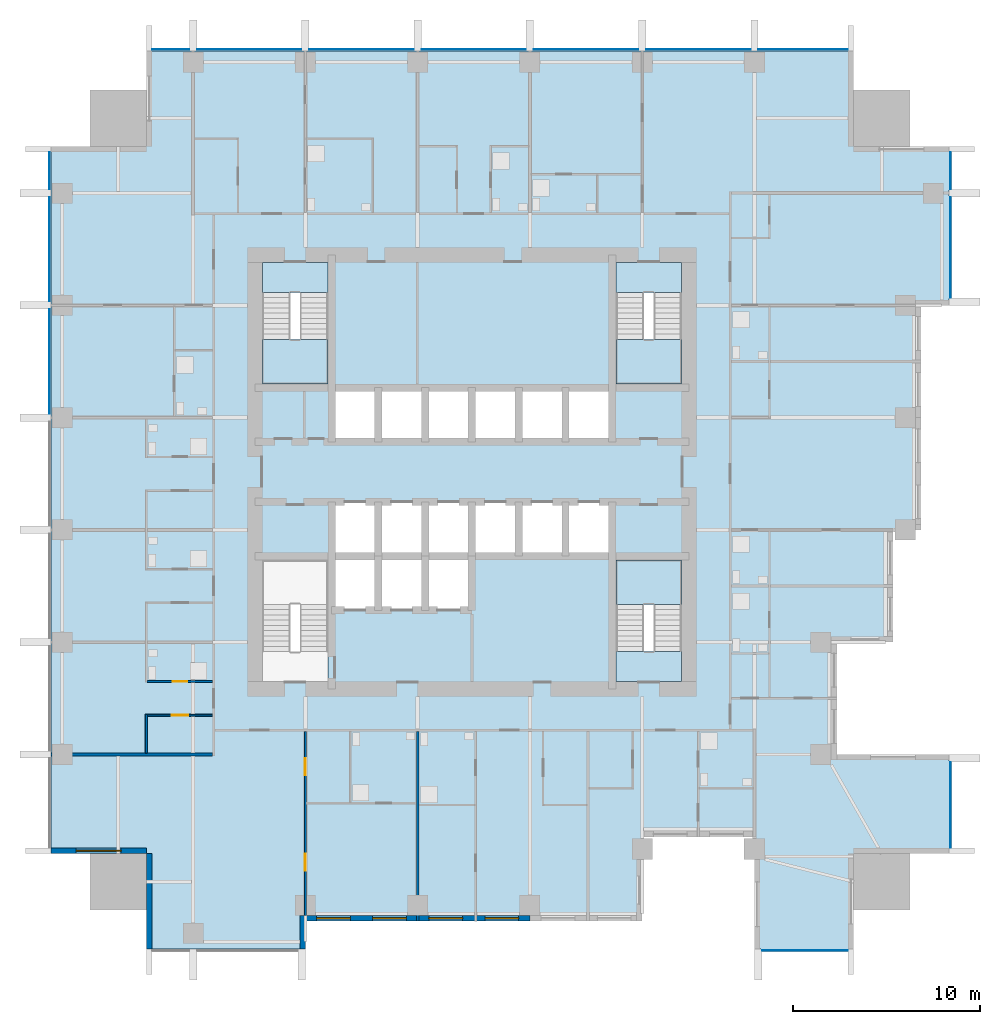
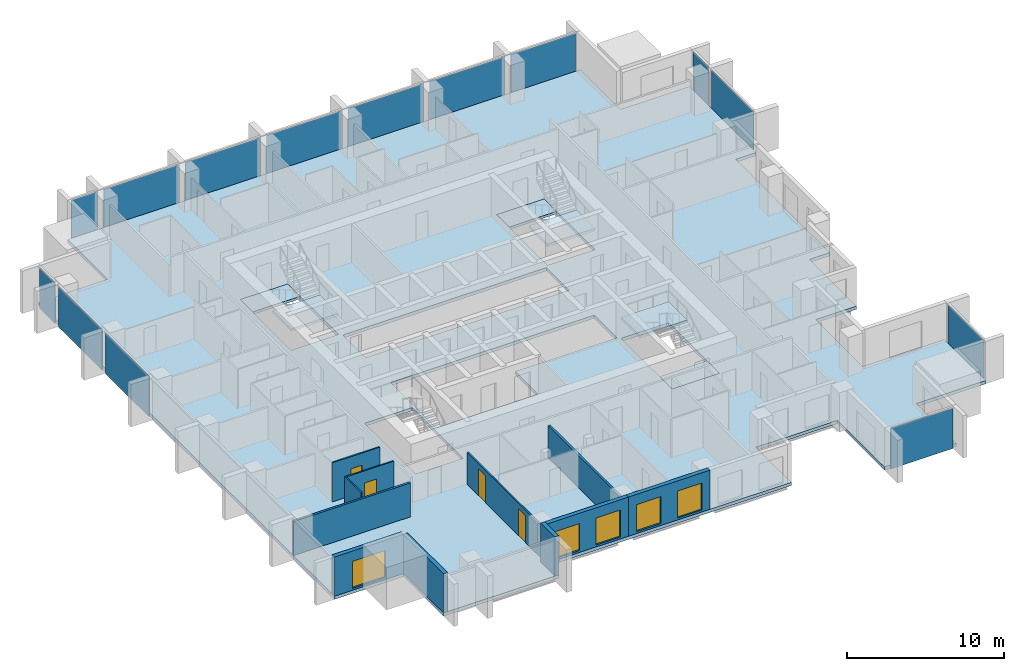
# One storey, part 3 of 10: 14 plates, 11 walls, 7 slabs, 5 windows, 4 doors, 9 openings, 8 elements without a shape of their own.
"""IFC4 building model written with IfcOpenShell, lengths in metres."""

from ifc_helpers import new_model, si_unit, direction, frame, frame_2d, origin, origin_2d, place, context, subcontext, project, spatial, polyline, rectangle, outline, extrude, material, layer, layer_set, type_object, element, fill, aggregate, save


model = new_model("IFC4")

# Units and contexts
model_context = context("Model", 3, precision=1e-05, world=origin(), true_north=direction((0.0, 1.0)))
body_context = subcontext(model_context, "Body", "Model", "MODEL_VIEW")
ifc_project = project(units=[si_unit("LENGTHUNIT", "METRE"), si_unit("AREAUNIT", "SQUARE_METRE"), si_unit("VOLUMEUNIT", "CUBIC_METRE"), si_unit("PLANEANGLEUNIT", "RADIAN"), si_unit("MASSUNIT", "GRAM", prefix="KILO")], contexts=[model_context])

# Site, building, storey
site_placement = place(None, origin())
site = spatial("IfcSite", under=ifc_project, at=site_placement, CompositionType="ELEMENT")
building_placement = place(site_placement, origin())
building = spatial("IfcBuilding", under=site, at=building_placement, Name="Amberfall Residences", CompositionType="ELEMENT")
storey_placement = place(building_placement, frame((0.0, 0.0, 101.800048828125)))
storey = spatial("IfcBuildingStorey", under=building, at=storey_placement, Name="L27", CompositionType="ELEMENT", Elevation=101.800048828125)

# Curtain wall, plate
ifc_material_1 = material(Name="Bronze anodised aluminium and glass", Category="aluminium")
curtain_wall_type = type_object("IfcCurtainWallType", Name="Curtain wall CW1 tower unit", PredefinedType="USERDEFINED", material=ifc_material_1)
curtain_wall_1_placement = place(storey_placement, origin())
curtain_wall_1 = element("IfcCurtainWall", 1, at=curtain_wall_1_placement, inside=storey, type_object=curtain_wall_type, Name="Curtain wall L27 S S9", ObjectType="UNITISED CURTAIN WALL", PredefinedType="USERDEFINED")
ifc_material_2 = material(Name="Tinted double glazed unit", Category="glass")
ifc_layer_1 = layer(ifc_material_2, 0.035888671875)
ifc_layer_set_1 = layer_set([ifc_layer_1], Name="CW1 panel 36 glazing")
plate_type = type_object("IfcPlateType", Name="CW1 panel 36 glazing", PredefinedType="CURTAIN_PANEL", material=ifc_layer_set_1)
plate_1_placement = place(storey_placement, frame((92.300048828125, 19.925048828125, -0.25), z_axis=(0.0, 0.0, 1.0), x_axis=(1.0, 0.0, 0.0)))
plate_1 = element("IfcPlate", 2, at=plate_1_placement, type_object=plate_type, Name="CW1 panel 1.1", PredefinedType="CURTAIN_PANEL", context=body_context, shape_type="SweptSolid", body=[
    extrude(rectangle(XDim=4.575927734375, YDim=0.035888671875, at=origin_2d()), origin(), (0.0, 0.0, 1.0), 3.14990234375),
])
aggregate(curtain_wall_1, [plate_1])

curtain_wall_2_placement = place(storey_placement, origin())
curtain_wall_2 = element("IfcCurtainWall", 3, at=curtain_wall_2_placement, inside=storey, type_object=curtain_wall_type, Name="Curtain wall L27 E E1", ObjectType="UNITISED CURTAIN WALL", PredefinedType="USERDEFINED")
plate_2_placement = place(storey_placement, frame((100.074951171875, 27.699951171875, -0.25), z_axis=(0.0, 0.0, 1.0), x_axis=(0.0, 1.0, 0.0)))
plate_2 = element("IfcPlate", 4, at=plate_2_placement, type_object=plate_type, Name="CW1 panel 1.1", PredefinedType="CURTAIN_PANEL", context=body_context, shape_type="SweptSolid", body=[
    extrude(rectangle(XDim=4.575927734375, YDim=0.035888671875, at=origin_2d()), origin(), (0.0, 0.0, 1.0), 3.14990234375),
])
aggregate(curtain_wall_2, [plate_2])

# Curtain wall, plates
curtain_wall_3_placement = place(storey_placement, origin())
curtain_wall_3 = element("IfcCurtainWall", 5, at=curtain_wall_3_placement, inside=storey, type_object=curtain_wall_type, Name="Curtain wall L27 E E10", ObjectType="UNITISED CURTAIN WALL", PredefinedType="USERDEFINED")
plate_3_placement = place(storey_placement, frame((100.074951171875, 57.5, -0.25), z_axis=(0.0, 0.0, 1.0), x_axis=(0.0, 1.0, 0.0)))
plate_3 = element("IfcPlate", 6, at=plate_3_placement, type_object=plate_type, Name="CW1 panel 1.1", PredefinedType="CURTAIN_PANEL", context=body_context, shape_type="SweptSolid", body=[
    extrude(rectangle(XDim=5.3759765625, YDim=0.035888671875, at=origin_2d()), origin(), (0.0, 0.0, 1.0), 3.14990234375),
])
plate_4_placement = place(storey_placement, frame((100.074951171875, 61.60009765625, -0.25), z_axis=(0.0, 0.0, 1.0), x_axis=(0.0, 1.0, 0.0)))
plate_4 = element("IfcPlate", 7, at=plate_4_placement, type_object=plate_type, Name="CW1 panel 2.1", PredefinedType="CURTAIN_PANEL", context=body_context, shape_type="SweptSolid", body=[
    extrude(rectangle(XDim=1.97607421875, YDim=0.035888671875, at=origin_2d()), origin(), (0.0, 0.0, 1.0), 3.14990234375),
])
aggregate(curtain_wall_3, [plate_3, plate_4])

curtain_wall_4_placement = place(storey_placement, origin())
curtain_wall_4 = element("IfcCurtainWall", 8, at=curtain_wall_4_placement, inside=storey, type_object=curtain_wall_type, Name="Curtain wall L27 N N1", ObjectType="UNITISED CURTAIN WALL", PredefinedType="USERDEFINED")
plate_5_placement = place(storey_placement, frame((92.199951171875, 68.074951171875, -0.25), z_axis=(0.0, 0.0, 1.0), x_axis=(-1.0, 0.0, 0.0)))
plate_5 = element("IfcPlate", 9, at=plate_5_placement, type_object=plate_type, Name="CW1 panel 1.1", PredefinedType="CURTAIN_PANEL", context=body_context, shape_type="SweptSolid", body=[
    extrude(rectangle(XDim=4.77587890625, YDim=0.035888671875, at=origin_2d()), origin(), (0.0, 0.0, 1.0), 3.14990234375),
])
plate_6_placement = place(storey_placement, frame((86.60009765625, 68.074951171875, -0.25), z_axis=(0.0, 0.0, 1.0), x_axis=(-1.0, 0.0, 0.0)))
plate_6 = element("IfcPlate", 10, at=plate_6_placement, type_object=plate_type, Name="CW1 panel 2.1", PredefinedType="CURTAIN_PANEL", context=body_context, shape_type="SweptSolid", body=[
    extrude(rectangle(XDim=5.575927734375, YDim=0.035888671875, at=origin_2d()), origin(), (0.0, 0.0, 1.0), 3.14990234375),
])
plate_7_placement = place(storey_placement, frame((80.60009765625, 68.074951171875, -0.25), z_axis=(0.0, 0.0, 1.0), x_axis=(-1.0, 0.0, 0.0)))
plate_7 = element("IfcPlate", 11, at=plate_7_placement, type_object=plate_type, Name="CW1 panel 3.1", PredefinedType="CURTAIN_PANEL", context=body_context, shape_type="SweptSolid", body=[
    extrude(rectangle(XDim=5.575927734375, YDim=0.035888671875, at=origin_2d()), origin(), (0.0, 0.0, 1.0), 3.14990234375),
])
plate_8_placement = place(storey_placement, frame((74.60009765625, 68.074951171875, -0.25), z_axis=(0.0, 0.0, 1.0), x_axis=(-1.0, 0.0, 0.0)))
plate_8 = element("IfcPlate", 12, at=plate_8_placement, type_object=plate_type, Name="CW1 panel 4.1", PredefinedType="CURTAIN_PANEL", context=body_context, shape_type="SweptSolid", body=[
    extrude(rectangle(XDim=5.575927734375, YDim=0.035888671875, at=origin_2d()), origin(), (0.0, 0.0, 1.0), 3.14990234375),
])
plate_9_placement = place(storey_placement, frame((68.60009765625, 68.074951171875, -0.25), z_axis=(0.0, 0.0, 1.0), x_axis=(-1.0, 0.0, 0.0)))
plate_9 = element("IfcPlate", 13, at=plate_9_placement, type_object=plate_type, Name="CW1 panel 5.1", PredefinedType="CURTAIN_PANEL", context=body_context, shape_type="SweptSolid", body=[
    extrude(rectangle(XDim=5.575927734375, YDim=0.035888671875, at=origin_2d()), origin(), (0.0, 0.0, 1.0), 3.14990234375),
])
plate_10_placement = place(storey_placement, frame((62.60009765625, 68.074951171875, -0.25), z_axis=(0.0, 0.0, 1.0), x_axis=(-1.0, 0.0, 0.0)))
plate_10 = element("IfcPlate", 14, at=plate_10_placement, type_object=plate_type, Name="CW1 panel 6.1", PredefinedType="CURTAIN_PANEL", context=body_context, shape_type="SweptSolid", body=[
    extrude(rectangle(XDim=5.575927734375, YDim=0.035888671875, at=origin_2d()), origin(), (0.0, 0.0, 1.0), 3.14990234375),
])
plate_11_placement = place(storey_placement, frame((58.39990234375, 68.074951171875, -0.25), z_axis=(0.0, 0.0, 1.0), x_axis=(-1.0, 0.0, 0.0)))
plate_11 = element("IfcPlate", 15, at=plate_11_placement, type_object=plate_type, Name="CW1 panel 7.1", PredefinedType="CURTAIN_PANEL", context=body_context, shape_type="SweptSolid", body=[
    extrude(rectangle(XDim=1.97607421875, YDim=0.035888671875, at=origin_2d()), origin(), (0.0, 0.0, 1.0), 3.14990234375),
])
aggregate(curtain_wall_4, [plate_5, plate_6, plate_7, plate_8, plate_9, plate_10, plate_11])

curtain_wall_5_placement = place(storey_placement, origin())
curtain_wall_5 = element("IfcCurtainWall", 16, at=curtain_wall_5_placement, inside=storey, type_object=curtain_wall_type, Name="Curtain wall L27 W W1", ObjectType="UNITISED CURTAIN WALL", PredefinedType="USERDEFINED")
plate_12_placement = place(storey_placement, frame((51.925048828125, 61.60009765625, -0.25), z_axis=(0.0, 0.0, 1.0), x_axis=(0.0, -1.0, 0.0)))
plate_12 = element("IfcPlate", 17, at=plate_12_placement, type_object=plate_type, Name="CW1 panel 1.1", PredefinedType="CURTAIN_PANEL", context=body_context, shape_type="SweptSolid", body=[
    extrude(rectangle(XDim=1.97607421875, YDim=0.035888671875, at=origin_2d()), origin(), (0.0, 0.0, 1.0), 3.14990234375),
])
plate_13_placement = place(storey_placement, frame((51.925048828125, 57.39990234375, -0.25), z_axis=(0.0, 0.0, 1.0), x_axis=(0.0, -1.0, 0.0)))
plate_13 = element("IfcPlate", 18, at=plate_13_placement, type_object=plate_type, Name="CW1 panel 2.1", PredefinedType="CURTAIN_PANEL", context=body_context, shape_type="SweptSolid", body=[
    extrude(rectangle(XDim=5.575927734375, YDim=0.035888671875, at=origin_2d()), origin(), (0.0, 0.0, 1.0), 3.14990234375),
])
plate_14_placement = place(storey_placement, frame((51.925048828125, 51.39990234375, -0.25), z_axis=(0.0, 0.0, 1.0), x_axis=(0.0, -1.0, 0.0)))
plate_14 = element("IfcPlate", 19, at=plate_14_placement, type_object=plate_type, Name="CW1 panel 3.1", PredefinedType="CURTAIN_PANEL", context=body_context, shape_type="SweptSolid", body=[
    extrude(rectangle(XDim=5.575927734375, YDim=0.035888671875, at=origin_2d()), origin(), (0.0, 0.0, 1.0), 3.14990234375),
])
aggregate(curtain_wall_5, [plate_12, plate_13, plate_14])

# Slab
ifc_material_3 = material(Name="Concrete C70", Category="concrete")
ifc_layer_2 = layer(ifc_material_3, 0.25)
ifc_layer_set_2 = layer_set([ifc_layer_2], Name="Floor slab 250 C70")
slab_type_1 = type_object("IfcSlabType", Name="Floor slab 250 C70", PredefinedType="FLOOR", material=ifc_layer_set_2)
slab_1_placement = place(storey_placement, frame((0.0, 0.0, -0.25)))
element("IfcSlab", 20, at=slab_1_placement, inside=storey, type_object=slab_type_1, Name="Floor slab S7 L27", PredefinedType="FLOOR", context=body_context, shape_type="SweptSolid", body=[
    extrude(outline(polyline([(89.60009765625, 20.0), (89.60009765625, 26.0), (83.60009765625, 26.0), (83.60009765625, 21.5), (77.60009765625, 21.5), (71.60009765625, 21.5), (65.60009765625, 21.5), (65.60009765625, 20.0), (57.10009765625, 20.0), (57.10009765625, 25.10009765625), (52.0, 25.10009765625), (52.0, 62.89990234375), (57.10009765625, 62.89990234375), (57.10009765625, 68.0), (94.89990234375, 68.0), (94.89990234375, 62.89990234375), (100.0, 62.89990234375), (100.0, 54.39990234375), (98.5, 54.39990234375), (98.5, 48.39990234375), (98.5, 42.39990234375), (97.0, 42.39990234375), (97.0, 36.39990234375), (94.0, 36.39990234375), (94.0, 30.39990234375), (100.0, 30.39990234375), (100.0, 25.10009765625), (94.89990234375, 25.10009765625), (94.89990234375, 20.0), (89.60009765625, 20.0)]), holes=[polyline([(85.699951171875, 34.300048828125), (85.699951171875, 40.800048828125), (82.199951171875, 40.800048828125), (82.199951171875, 34.300048828125), (85.699951171875, 34.300048828125)]), polyline([(82.199951171875, 50.199951171875), (85.699951171875, 50.199951171875), (85.699951171875, 56.699951171875), (82.199951171875, 56.699951171875), (82.199951171875, 50.199951171875)]), polyline([(69.5, 50.0), (67.0, 50.0), (67.0, 47.10009765625), (69.5, 47.10009765625), (72.0, 47.10009765625), (74.5, 47.10009765625), (77.0, 47.10009765625), (79.5, 47.10009765625), (82.0, 47.10009765625), (82.0, 50.0), (79.5, 50.0), (77.0, 50.0), (74.5, 50.0), (72.0, 50.0), (69.5, 50.0)]), polyline([(74.5, 41.0), (77.0, 41.0), (79.5, 41.0), (82.0, 41.0), (82.0, 43.89990234375), (79.5, 43.89990234375), (77.0, 43.89990234375), (74.5, 43.89990234375), (72.0, 43.89990234375), (69.5, 43.89990234375), (67.0, 43.89990234375), (67.0, 41.0), (67.0, 38.10009765625), (69.5, 38.10009765625), (72.0, 38.10009765625), (74.5, 38.10009765625), (74.5, 41.0)]), polyline([(66.800048828125, 34.300048828125), (66.800048828125, 40.800048828125), (63.300048828125, 40.800048828125), (63.300048828125, 34.300048828125), (66.800048828125, 34.300048828125)]), polyline([(66.800048828125, 50.199951171875), (66.800048828125, 56.699951171875), (63.300048828125, 56.699951171875), (63.300048828125, 50.199951171875), (66.800048828125, 50.199951171875)])]), origin(), (0.0, 0.0, 1.0), 0.25),
])

# Stair, slabs
ifc_material_4 = material(Name="Concrete C40", Category="concrete")
stair_type = type_object("IfcStairType", Name="Exit stair 20 risers 165.0 mm", PredefinedType="HALF_TURN_STAIR", material=ifc_material_4)
stair_1_placement = place(storey_placement, origin())
stair_1 = element("IfcStair", 21, at=stair_1_placement, inside=storey, type_object=stair_type, Name="L27 Exit stair 2", PredefinedType="HALF_TURN_STAIR")
ifc_layer_3 = layer(ifc_material_4, 0.199951171875)
ifc_layer_set_3 = layer_set([ifc_layer_3], Name="Stair landing 200")
slab_type_2 = type_object("IfcSlabType", Name="Stair landing 200", PredefinedType="LANDING", material=ifc_layer_set_3)
slab_2_placement = place(storey_placement, frame((0.0, 0.0, 1.449951171875)))
slab_2 = element("IfcSlab", 22, at=slab_2_placement, type_object=slab_type_2, Name="ST3 landing 1", PredefinedType="LANDING", context=body_context, shape_type="SweptSolid", body=[
    extrude(outline(polyline([(85.699951171875, 38.419921875), (85.699951171875, 40.800048828125), (82.199951171875, 40.800048828125), (82.199951171875, 38.419921875), (85.699951171875, 38.419921875)])), origin(), (0.0, 0.0, 1.0), 0.199951171875),
])
slab_3_placement = place(storey_placement, frame((0.0, 0.0, -0.199951171875)))
slab_3 = element("IfcSlab", 23, at=slab_3_placement, type_object=slab_type_2, Name="ST3 landing 2", PredefinedType="LANDING", context=body_context, shape_type="SweptSolid", body=[
    extrude(outline(polyline([(85.699951171875, 34.300048828125), (85.699951171875, 35.89990234375), (82.199951171875, 35.89990234375), (82.199951171875, 34.300048828125), (85.699951171875, 34.300048828125)])), origin(), (0.0, 0.0, 1.0), 0.199951171875),
])
aggregate(stair_1, [slab_2, slab_3])

stair_2_placement = place(storey_placement, origin())
stair_2 = element("IfcStair", 24, at=stair_2_placement, inside=storey, type_object=stair_type, Name="L27 Exit stair 3", PredefinedType="HALF_TURN_STAIR")
slab_4_placement = place(storey_placement, frame((0.0, 0.0, 1.449951171875)))
slab_4 = element("IfcSlab", 25, at=slab_4_placement, type_object=slab_type_2, Name="ST3 landing 1", PredefinedType="LANDING", context=body_context, shape_type="SweptSolid", body=[
    extrude(outline(polyline([(82.199951171875, 52.580078125), (82.199951171875, 50.199951171875), (85.699951171875, 50.199951171875), (85.699951171875, 52.580078125), (82.199951171875, 52.580078125)])), origin(), (0.0, 0.0, 1.0), 0.199951171875),
])
slab_5_placement = place(storey_placement, frame((0.0, 0.0, -0.199951171875)))
slab_5 = element("IfcSlab", 26, at=slab_5_placement, type_object=slab_type_2, Name="ST3 landing 2", PredefinedType="LANDING", context=body_context, shape_type="SweptSolid", body=[
    extrude(outline(polyline([(82.199951171875, 56.699951171875), (82.199951171875, 55.10009765625), (85.699951171875, 55.10009765625), (85.699951171875, 56.699951171875), (82.199951171875, 56.699951171875)])), origin(), (0.0, 0.0, 1.0), 0.199951171875),
])
aggregate(stair_2, [slab_4, slab_5])

stair_3_placement = place(storey_placement, origin())
stair_3 = element("IfcStair", 27, at=stair_3_placement, inside=storey, type_object=stair_type, Name="L27 Exit stair 4", PredefinedType="HALF_TURN_STAIR")
slab_6_placement = place(storey_placement, frame((0.0, 0.0, 1.449951171875)))
slab_6 = element("IfcSlab", 28, at=slab_6_placement, type_object=slab_type_2, Name="ST3 landing 1", PredefinedType="LANDING", context=body_context, shape_type="SweptSolid", body=[
    extrude(outline(polyline([(63.300048828125, 52.580078125), (63.300048828125, 50.199951171875), (66.800048828125, 50.199951171875), (66.800048828125, 52.580078125), (63.300048828125, 52.580078125)])), origin(), (0.0, 0.0, 1.0), 0.199951171875),
])
slab_7_placement = place(storey_placement, frame((0.0, 0.0, -0.199951171875)))
slab_7 = element("IfcSlab", 29, at=slab_7_placement, type_object=slab_type_2, Name="ST3 landing 2", PredefinedType="LANDING", context=body_context, shape_type="SweptSolid", body=[
    extrude(outline(polyline([(63.300048828125, 56.699951171875), (63.300048828125, 55.10009765625), (66.800048828125, 55.10009765625), (66.800048828125, 56.699951171875), (63.300048828125, 56.699951171875)])), origin(), (0.0, 0.0, 1.0), 0.199951171875),
])
aggregate(stair_3, [slab_6, slab_7])

# Wall
ifc_material_5 = material(Name="Pale stone cladding on insulated backing", Category="masonry")
ifc_layer_4 = layer(ifc_material_5, 0.300048828125)
ifc_layer_set_4 = layer_set([ifc_layer_4], Name="Bronze clad wall 300")
wall_type_1 = type_object("IfcWallType", Name="Bronze clad wall 300", PredefinedType="SOLIDWALL", material=ifc_layer_set_4)
wall_1_placement = place(storey_placement, frame((65.449951171875, 20.0, 0.0), z_axis=(0.0, 0.0, 1.0), x_axis=(0.0, 1.0, 0.0)))
element("IfcWall", 30, at=wall_1_placement, inside=storey, type_object=wall_type_1, Name="External wall L27 S", PredefinedType="SOLIDWALL", context=body_context, shape_type="SweptSolid", body=[
    extrude(rectangle(XDim=1.800048828125, YDim=0.300048828125, at=frame_2d((0.89990234375, 0.0))), origin(), (0.0, 0.0, 1.0), 3.050048828125),
])

# Wall, opening, window
wall_2_placement = place(storey_placement, frame((52.0, 25.25, 0.0), z_axis=(0.0, 0.0, 1.0), x_axis=(1.0, 0.0, 0.0)))
wall_2 = element("IfcWall", 31, at=wall_2_placement, inside=storey, type_object=wall_type_1, Name="External wall L27 SW", PredefinedType="SOLIDWALL", context=body_context, shape_type="SweptSolid", body=[
    extrude(rectangle(XDim=5.10009765625, YDim=0.300048828125, at=frame_2d((2.550048828125, 0.0))), origin(), (0.0, 0.0, 1.0), 3.050048828125),
])
opening_1_placement = place(wall_2_placement, frame((1.35009765625, 0.0, 0.14990234375)))
opening_1 = element("IfcOpeningElement", 32, at=opening_1_placement, cuts=wall_2, Name="Opening WN5", PredefinedType="OPENING", context=body_context, shape_type="SweptSolid", body=[
    extrude(rectangle(XDim=2.39990234375, YDim=2.10009765625, at=frame_2d((1.199951171875, 1.050048828125))), frame((0.0, 0.159912109375, 0.0), z_axis=(0.0, -1.0, 0.0), x_axis=(1.0, 0.0, 0.0)), (0.0, 0.0, 1.0), 0.320068359375),
])
ifc_material_6 = material(Name="Bronze aluminium framed glazing", Category="aluminium")
window_type_1 = type_object("IfcWindowType", Name="Glazed opening 2400 x 2100 bronze", PartitioningType="DOUBLE_PANEL_VERTICAL", PredefinedType="WINDOW", material=ifc_material_6)
window_1_placement = place(opening_1_placement, origin())
window_1 = element("IfcWindow", 33, at=window_1_placement, inside=storey, type_object=window_type_1, Name="Window L27 SW", OverallHeight=2.10009765625, OverallWidth=2.39990234375, PartitioningType="DOUBLE_PANEL_VERTICAL", PredefinedType="WINDOW", context=body_context, shape_type="SweptSolid", body=[
    extrude(rectangle(XDim=2.39990234375, YDim=2.10009765625, at=frame_2d((1.199951171875, 1.050048828125))), frame((0.0, 0.030029296875, 0.0), z_axis=(0.0, -1.0, 0.0), x_axis=(1.0, 0.0, 0.0)), (0.0, 0.0, 1.0), 0.06005859375),
])
fill(opening_1, window_1)

# Wall
wall_3_placement = place(storey_placement, frame((57.25, 25.10009765625, 0.0), z_axis=(0.0, 0.0, 1.0), x_axis=(0.0, -1.0, 0.0)))
element("IfcWall", 34, at=wall_3_placement, inside=storey, type_object=wall_type_1, Name="External wall L27 SW", PredefinedType="SOLIDWALL", context=body_context, shape_type="SweptSolid", body=[
    extrude(rectangle(XDim=5.10009765625, YDim=0.300048828125, at=frame_2d((2.550048828125, 0.0))), origin(), (0.0, 0.0, 1.0), 3.050048828125),
])

# Wall, openings, windows
wall_4_placement = place(storey_placement, frame((65.60009765625, 21.64990234375, 0.0), z_axis=(0.0, 0.0, 1.0), x_axis=(1.0, 0.0, 0.0)))
wall_4 = element("IfcWall", 35, at=wall_4_placement, inside=storey, type_object=wall_type_1, Name="Stone wall L27 S", PredefinedType="SOLIDWALL", context=body_context, shape_type="SweptSolid", body=[
    extrude(rectangle(XDim=6.0, YDim=0.300048828125, at=frame_2d((3.0, 0.0))), origin(), (0.0, 0.0, 1.0), 3.050048828125),
])
opening_2_placement = place(wall_4_placement, frame((0.60009765625, 0.0, 0.14990234375)))
opening_2 = element("IfcOpeningElement", 36, at=opening_2_placement, cuts=wall_4, Name="Opening WN6", PredefinedType="OPENING", context=body_context, shape_type="SweptSolid", body=[
    extrude(rectangle(XDim=1.800048828125, YDim=2.10009765625, at=frame_2d((0.89990234375, 1.050048828125))), frame((0.0, 0.159912109375, 0.0), z_axis=(0.0, -1.0, 0.0), x_axis=(1.0, 0.0, 0.0)), (0.0, 0.0, 1.0), 0.320068359375),
])
opening_3_placement = place(wall_4_placement, frame((3.60009765625, 0.0, 0.14990234375)))
opening_3 = element("IfcOpeningElement", 37, at=opening_3_placement, cuts=wall_4, Name="Opening WN6", PredefinedType="OPENING", context=body_context, shape_type="SweptSolid", body=[
    extrude(rectangle(XDim=1.800048828125, YDim=2.10009765625, at=frame_2d((0.89990234375, 1.050048828125))), frame((0.0, 0.159912109375, 0.0), z_axis=(0.0, -1.0, 0.0), x_axis=(1.0, 0.0, 0.0)), (0.0, 0.0, 1.0), 0.320068359375),
])
window_type_2 = type_object("IfcWindowType", Name="Glazed opening 1800 x 2100 bronze", PartitioningType="DOUBLE_PANEL_VERTICAL", PredefinedType="WINDOW", material=ifc_material_6)
window_2_placement = place(opening_2_placement, origin())
window_2 = element("IfcWindow", 38, at=window_2_placement, inside=storey, type_object=window_type_2, Name="Window L27 S", OverallHeight=2.10009765625, OverallWidth=1.800048828125, PartitioningType="DOUBLE_PANEL_VERTICAL", PredefinedType="WINDOW", context=body_context, shape_type="SweptSolid", body=[
    extrude(rectangle(XDim=1.800048828125, YDim=2.10009765625, at=frame_2d((0.89990234375, 1.050048828125))), frame((0.0, 0.030029296875, 0.0), z_axis=(0.0, -1.0, 0.0), x_axis=(1.0, 0.0, 0.0)), (0.0, 0.0, 1.0), 0.06005859375),
])
fill(opening_2, window_2)
window_3_placement = place(opening_3_placement, origin())
window_3 = element("IfcWindow", 39, at=window_3_placement, inside=storey, type_object=window_type_2, Name="Window L27 S", OverallHeight=2.10009765625, OverallWidth=1.800048828125, PartitioningType="DOUBLE_PANEL_VERTICAL", PredefinedType="WINDOW", context=body_context, shape_type="SweptSolid", body=[
    extrude(rectangle(XDim=1.800048828125, YDim=2.10009765625, at=frame_2d((0.89990234375, 1.050048828125))), frame((0.0, 0.030029296875, 0.0), z_axis=(0.0, -1.0, 0.0), x_axis=(1.0, 0.0, 0.0)), (0.0, 0.0, 1.0), 0.06005859375),
])
fill(opening_3, window_3)

wall_5_placement = place(storey_placement, frame((71.60009765625, 21.64990234375, 0.0), z_axis=(0.0, 0.0, 1.0), x_axis=(1.0, 0.0, 0.0)))
wall_5 = element("IfcWall", 40, at=wall_5_placement, inside=storey, type_object=wall_type_1, Name="Stone wall L27 S", PredefinedType="SOLIDWALL", context=body_context, shape_type="SweptSolid", body=[
    extrude(rectangle(XDim=6.0, YDim=0.300048828125, at=frame_2d((3.0, 0.0))), origin(), (0.0, 0.0, 1.0), 3.050048828125),
])
opening_4_placement = place(wall_5_placement, frame((0.60009765625, 0.0, 0.14990234375)))
opening_4 = element("IfcOpeningElement", 41, at=opening_4_placement, cuts=wall_5, Name="Opening WN6", PredefinedType="OPENING", context=body_context, shape_type="SweptSolid", body=[
    extrude(rectangle(XDim=1.800048828125, YDim=2.10009765625, at=frame_2d((0.89990234375, 1.050048828125))), frame((0.0, 0.159912109375, 0.0), z_axis=(0.0, -1.0, 0.0), x_axis=(1.0, 0.0, 0.0)), (0.0, 0.0, 1.0), 0.320068359375),
])
opening_5_placement = place(wall_5_placement, frame((3.60009765625, 0.0, 0.14990234375)))
opening_5 = element("IfcOpeningElement", 42, at=opening_5_placement, cuts=wall_5, Name="Opening WN6", PredefinedType="OPENING", context=body_context, shape_type="SweptSolid", body=[
    extrude(rectangle(XDim=1.800048828125, YDim=2.10009765625, at=frame_2d((0.89990234375, 1.050048828125))), frame((0.0, 0.159912109375, 0.0), z_axis=(0.0, -1.0, 0.0), x_axis=(1.0, 0.0, 0.0)), (0.0, 0.0, 1.0), 0.320068359375),
])
window_4_placement = place(opening_4_placement, origin())
window_4 = element("IfcWindow", 43, at=window_4_placement, inside=storey, type_object=window_type_2, Name="Window L27 S", OverallHeight=2.10009765625, OverallWidth=1.800048828125, PartitioningType="DOUBLE_PANEL_VERTICAL", PredefinedType="WINDOW", context=body_context, shape_type="SweptSolid", body=[
    extrude(rectangle(XDim=1.800048828125, YDim=2.10009765625, at=frame_2d((0.89990234375, 1.050048828125))), frame((0.0, 0.030029296875, 0.0), z_axis=(0.0, -1.0, 0.0), x_axis=(1.0, 0.0, 0.0)), (0.0, 0.0, 1.0), 0.06005859375),
])
fill(opening_4, window_4)
window_5_placement = place(opening_5_placement, origin())
window_5 = element("IfcWindow", 44, at=window_5_placement, inside=storey, type_object=window_type_2, Name="Window L27 S", OverallHeight=2.10009765625, OverallWidth=1.800048828125, PartitioningType="DOUBLE_PANEL_VERTICAL", PredefinedType="WINDOW", context=body_context, shape_type="SweptSolid", body=[
    extrude(rectangle(XDim=1.800048828125, YDim=2.10009765625, at=frame_2d((0.89990234375, 1.050048828125))), frame((0.0, 0.030029296875, 0.0), z_axis=(0.0, -1.0, 0.0), x_axis=(1.0, 0.0, 0.0)), (0.0, 0.0, 1.0), 0.06005859375),
])
fill(opening_5, window_5)

# Wall
ifc_material_7 = material(Name="Gypsum board on metal stud")
ifc_layer_5 = layer(ifc_material_7, 0.10009765625)
ifc_layer_set_5 = layer_set([ifc_layer_5], Name="Flat partition 100")
wall_type_2 = type_object("IfcWallType", Name="Flat partition 100", PredefinedType="PARTITIONING", material=ifc_layer_set_5)
wall_6_placement = place(storey_placement, frame((57.10009765625, 30.47509765625, 0.0), z_axis=(0.0, 0.0, 1.0), x_axis=(0.0, 1.0, 0.0)))
element("IfcWall", 45, at=wall_6_placement, inside=storey, type_object=wall_type_2, Name="Partition 001", PredefinedType="PARTITIONING", context=body_context, shape_type="SweptSolid", body=[
    extrude(rectangle(XDim=2.074951171875, YDim=0.10009765625, at=frame_2d((1.03759765625, 0.0))), origin(), (0.0, 0.0, 1.0), 3.050048828125),
])

# Wall, openings, doors
wall_7_placement = place(storey_placement, frame((65.60009765625, 31.625, 0.0), z_axis=(0.0, 0.0, 1.0), x_axis=(0.0, -1.0, 0.0)))
wall_7 = element("IfcWall", 46, at=wall_7_placement, inside=storey, type_object=wall_type_2, Name="Partition 007", PredefinedType="PARTITIONING", context=body_context, shape_type="SweptSolid", body=[
    extrude(rectangle(XDim=10.125, YDim=0.10009765625, at=frame_2d((5.0625, 0.0))), origin(), (0.0, 0.0, 1.0), 2.515869140625),
])
opening_6_placement = place(wall_7_placement, frame((1.425048828125, 0.0, 0.0)))
opening_6 = element("IfcOpeningElement", 47, at=opening_6_placement, cuts=wall_7, Name="Opening D41", PredefinedType="OPENING", context=body_context, shape_type="SweptSolid", body=[
    extrude(rectangle(XDim=0.89990234375, YDim=2.10009765625, at=frame_2d((0.449951171875, 1.050048828125))), frame((0.0, 0.06005859375, 0.0), z_axis=(0.0, -1.0, 0.0), x_axis=(1.0, 0.0, 0.0)), (0.0, 0.0, 1.0), 0.1201171875),
])
opening_7_placement = place(wall_7_placement, frame((6.52490234375, 0.0, 0.0)))
opening_7 = element("IfcOpeningElement", 48, at=opening_7_placement, cuts=wall_7, Name="Opening D41", PredefinedType="OPENING", context=body_context, shape_type="SweptSolid", body=[
    extrude(rectangle(XDim=0.89990234375, YDim=2.10009765625, at=frame_2d((0.449951171875, 1.050048828125))), frame((0.0, 0.06005859375, 0.0), z_axis=(0.0, -1.0, 0.0), x_axis=(1.0, 0.0, 0.0)), (0.0, 0.0, 1.0), 0.1201171875),
])
ifc_material_8 = material(Name="Timber", Category="wood")
door_type_1 = type_object("IfcDoorType", Name="Internal door 900 x 2100", OperationType="SINGLE_SWING_LEFT", PredefinedType="DOOR", material=ifc_material_8)
door_1_placement = place(opening_6_placement, origin())
door_1 = element("IfcDoor", 49, at=door_1_placement, inside=storey, type_object=door_type_1, Name="Door 2701 kitchen", OperationType="SINGLE_SWING_LEFT", OverallHeight=2.10009765625, OverallWidth=0.89990234375, PredefinedType="DOOR", context=body_context, shape_type="SweptSolid", body=[
    extrude(rectangle(XDim=0.89990234375, YDim=2.10009765625, at=frame_2d((0.449951171875, 1.050048828125))), frame((0.0, 0.02490234375, 0.0), z_axis=(0.0, -1.0, 0.0), x_axis=(1.0, 0.0, 0.0)), (0.0, 0.0, 1.0), 0.050048828125),
])
fill(opening_6, door_1)
door_2_placement = place(opening_7_placement, origin())
door_2 = element("IfcDoor", 50, at=door_2_placement, inside=storey, type_object=door_type_1, Name="Door 2701 bedroom1", OperationType="SINGLE_SWING_LEFT", OverallHeight=2.10009765625, OverallWidth=0.89990234375, PredefinedType="DOOR", context=body_context, shape_type="SweptSolid", body=[
    extrude(rectangle(XDim=0.89990234375, YDim=2.10009765625, at=frame_2d((0.449951171875, 1.050048828125))), frame((0.0, 0.02490234375, 0.0), z_axis=(0.0, -1.0, 0.0), x_axis=(1.0, 0.0, 0.0)), (0.0, 0.0, 1.0), 0.050048828125),
])
fill(opening_7, door_2)

# Wall, opening, door
wall_8_placement = place(storey_placement, frame((57.14990234375, 34.300048828125, 0.0), z_axis=(0.0, 0.0, 1.0), x_axis=(1.0, 0.0, 0.0)))
wall_8 = element("IfcWall", 51, at=wall_8_placement, inside=storey, type_object=wall_type_2, Name="Partition 038", PredefinedType="PARTITIONING", context=body_context, shape_type="SweptSolid", body=[
    extrude(rectangle(XDim=3.47509765625, YDim=0.10009765625, at=frame_2d((1.737548828125, 0.0))), origin(), (0.0, 0.0, 1.0), 3.050048828125),
])
opening_8_placement = place(wall_8_placement, frame((1.35009765625, 0.0, 0.0)))
opening_8 = element("IfcOpeningElement", 52, at=opening_8_placement, cuts=wall_8, Name="Opening D42", PredefinedType="OPENING", context=body_context, shape_type="SweptSolid", body=[
    extrude(rectangle(XDim=0.800048828125, YDim=2.10009765625, at=frame_2d((0.39990234375, 1.050048828125))), frame((0.0, 0.06005859375, 0.0), z_axis=(0.0, -1.0, 0.0), x_axis=(1.0, 0.0, 0.0)), (0.0, 0.0, 1.0), 0.1201171875),
])
door_type_2 = type_object("IfcDoorType", Name="Bathroom door 800 x 2100", OperationType="SINGLE_SWING_LEFT", PredefinedType="DOOR", material=ifc_material_8)
door_3_placement = place(opening_8_placement, origin())
door_3 = element("IfcDoor", 53, at=door_3_placement, inside=storey, type_object=door_type_2, Name="Door 2710 bath1", OperationType="SINGLE_SWING_LEFT", OverallHeight=2.10009765625, OverallWidth=0.800048828125, PredefinedType="DOOR", context=body_context, shape_type="SweptSolid", body=[
    extrude(rectangle(XDim=0.800048828125, YDim=2.10009765625, at=frame_2d((0.39990234375, 1.050048828125))), frame((0.0, 0.02490234375, 0.0), z_axis=(0.0, -1.0, 0.0), x_axis=(1.0, 0.0, 0.0)), (0.0, 0.0, 1.0), 0.050048828125),
])
fill(opening_8, door_3)

wall_9_placement = place(storey_placement, frame((60.625, 32.5, 0.0), z_axis=(0.0, 0.0, 1.0), x_axis=(-1.0, 0.0, 0.0)))
wall_9 = element("IfcWall", 54, at=wall_9_placement, inside=storey, type_object=wall_type_2, Name="Partition 040", PredefinedType="PARTITIONING", context=body_context, shape_type="SweptSolid", body=[
    extrude(rectangle(XDim=3.47509765625, YDim=0.10009765625, at=frame_2d((1.737548828125, 0.0))), origin(), (0.0, 0.0, 1.0), 3.050048828125),
])
opening_9_placement = place(wall_9_placement, frame((1.27490234375, 0.0, 0.0)))
opening_9 = element("IfcOpeningElement", 55, at=opening_9_placement, cuts=wall_9, Name="Opening D41", PredefinedType="OPENING", context=body_context, shape_type="SweptSolid", body=[
    extrude(rectangle(XDim=0.89990234375, YDim=2.10009765625, at=frame_2d((0.449951171875, 1.050048828125))), frame((0.0, 0.06005859375, 0.0), z_axis=(0.0, -1.0, 0.0), x_axis=(1.0, 0.0, 0.0)), (0.0, 0.0, 1.0), 0.1201171875),
])
door_4_placement = place(opening_9_placement, origin())
door_4 = element("IfcDoor", 56, at=door_4_placement, inside=storey, type_object=door_type_1, Name="Door 2710 kitchen", OperationType="SINGLE_SWING_LEFT", OverallHeight=2.10009765625, OverallWidth=0.89990234375, PredefinedType="DOOR", context=body_context, shape_type="SweptSolid", body=[
    extrude(rectangle(XDim=0.89990234375, YDim=2.10009765625, at=frame_2d((0.449951171875, 1.050048828125))), frame((0.0, 0.02490234375, 0.0), z_axis=(0.0, -1.0, 0.0), x_axis=(1.0, 0.0, 0.0)), (0.0, 0.0, 1.0), 0.050048828125),
])
fill(opening_9, door_4)

# Walls
ifc_material_9 = material(Name="Blockwork, plastered", Category="masonry")
ifc_layer_6 = layer(ifc_material_9, 0.14990234375)
ifc_layer_set_6 = layer_set([ifc_layer_6], Name="Flat separating wall 150")
wall_type_3 = type_object("IfcWallType", Name="Flat separating wall 150", PredefinedType="PARTITIONING", material=ifc_layer_set_6)
wall_10_placement = place(storey_placement, frame((71.60009765625, 21.5, 0.0), z_axis=(0.0, 0.0, 1.0), x_axis=(0.0, 1.0, 0.0)))
element("IfcWall", 57, at=wall_10_placement, inside=storey, type_object=wall_type_3, Name="Separating wall 048", PredefinedType="PARTITIONING", context=body_context, shape_type="SweptSolid", body=[
    extrude(rectangle(XDim=10.125, YDim=0.14990234375, at=frame_2d((5.0625, 0.0))), origin(), (0.0, 0.0, 1.0), 2.515869140625),
])
wall_11_placement = place(storey_placement, frame((52.0, 30.39990234375, 0.0), z_axis=(0.0, 0.0, 1.0), x_axis=(1.0, 0.0, 0.0)))
element("IfcWall", 58, at=wall_11_placement, inside=storey, type_object=wall_type_3, Name="Separating wall 062", PredefinedType="PARTITIONING", context=body_context, shape_type="SweptSolid", body=[
    extrude(rectangle(XDim=8.625, YDim=0.14990234375, at=frame_2d((4.3125, 0.0))), origin(), (0.0, 0.0, 1.0), 2.64697265625),
])

save(model, "model.ifc")
